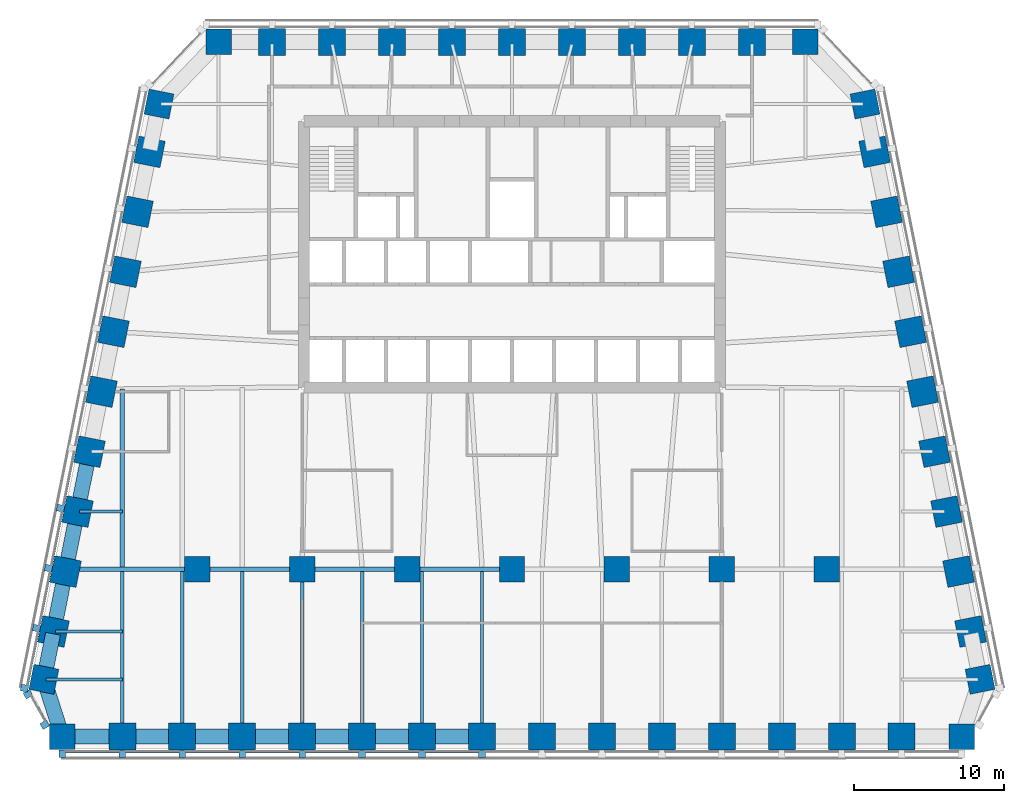
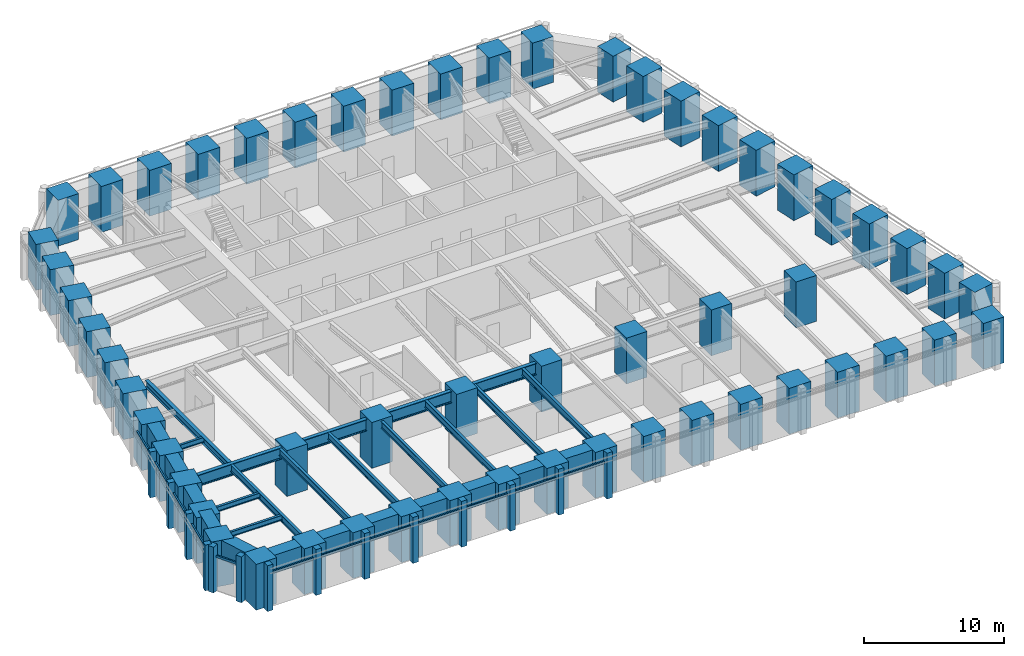
# One storey, part 1 of 9: 56 columns, 27 beams, 26 members, 3 elements without a shape of their own.
"""IFC4 building model written with IfcOpenShell, lengths in metres."""

from ifc_helpers import new_model, si_unit, direction, frame, origin, origin_2d, place, context, subcontext, project, spatial, rectangle, i_section, extrude, material, material_profile, profile_set, type_object, element, aggregate, save


model = new_model("IFC4")

# Units and contexts
model_context = context("Model", 3, precision=1e-05, world=origin(), true_north=direction((0.0, 1.0)))
body_context = subcontext(model_context, "Body", "Model", "MODEL_VIEW")
ifc_project = project(units=[si_unit("LENGTHUNIT", "METRE"), si_unit("AREAUNIT", "SQUARE_METRE"), si_unit("VOLUMEUNIT", "CUBIC_METRE"), si_unit("PLANEANGLEUNIT", "RADIAN"), si_unit("MASSUNIT", "GRAM", prefix="KILO")], contexts=[model_context])

# Site, building, storey
site_placement = place(None, origin())
site = spatial("IfcSite", under=ifc_project, at=site_placement, CompositionType="ELEMENT")
building_placement = place(site_placement, origin())
building = spatial("IfcBuilding", under=site, at=building_placement, Name="Isbrekke Arena Tower", CompositionType="ELEMENT")
storey_placement = place(building_placement, frame((0.0, 0.0, 131.0)))
storey = spatial("IfcBuildingStorey", under=building, at=storey_placement, Name="L29", CompositionType="ELEMENT", Elevation=131.0)

# Columns
ifc_material_1 = material(Name="Concrete B80 (C80/95)", Category="concrete")
ifc_material_profile_1 = material_profile(ifc_material_1, rectangle(XDim=1.699951171875, YDim=1.699951171875, at=origin_2d()), Name="RC 1700x1700")
ifc_profile_set_1 = profile_set([ifc_material_profile_1], Name="Concrete B80 (C80/95)")
column_type_1 = type_object("IfcColumnType", Name="C12 RC 1700 x 1700", PredefinedType="COLUMN", material=ifc_profile_set_1)
for number, where, z_axis, x_axis, name in (
    (1, (-21.0, -6.0, 0.0), (0.0, 0.0, 1.0), (1.0, 0.0, 0.0), "C12 I01"),
    (2, (-14.0, -6.0, 0.0), (0.0, 0.0, 1.0), (1.0, 0.0, 0.0), "C12 I02"),
    (3, (-7.0, -6.0, 0.0), (0.0, 0.0, 1.0), (1.0, 0.0, 0.0), "C12 I03"),
    (4, (0.0, -6.0, 0.0), (0.0, 0.0, 1.0), (1.0, 0.0, 0.0), "C12 I04"),
    (5, (7.0, -6.0, 0.0), (0.0, 0.0, 1.0), (1.0, 0.0, 0.0), "C12 I05"),
    (6, (14.0, -6.0, 0.0), (0.0, 0.0, 1.0), (1.0, 0.0, 0.0), "C12 I06"),
    (7, (21.0, -6.0, 0.0), (0.0, 0.0, 1.0), (1.0, 0.0, 0.0), "C12 I07"),
):
    element("IfcColumn", number, at=place(storey_placement, frame(where, z_axis=z_axis, x_axis=x_axis)), inside=storey, type_object=column_type_1, Name=name, PredefinedType="COLUMN", context=body_context, shape_type="SweptSolid", body=[
        extrude(rectangle(XDim=1.699951171875, YDim=1.699951171875, at=origin_2d()), origin(), (0.0, 0.0, 1.0), 4.0),
    ])
ifc_material_2 = material(Name="Concrete B80 (C80/95)", Category="concrete")
ifc_material_profile_2 = material_profile(ifc_material_2, rectangle(XDim=1.800048828125, YDim=1.800048828125, at=origin_2d()), Name="RC 1800x1800")
ifc_profile_set_2 = profile_set([ifc_material_profile_2], Name="Concrete B80 (C80/95)")
column_type_2 = type_object("IfcColumnType", Name="C3 RC 1800 x 1800", PredefinedType="COLUMN", material=ifc_profile_set_2)
for number, where, z_axis, x_axis, name in (
    (8, (-26.0, -17.175048828125, 0.0), (0.0, 0.0, 1.0), (1.0, 0.0, 0.0), "C3 S02"),
    (9, (-22.0, -17.175048828125, 0.0), (0.0, 0.0, 1.0), (1.0, 0.0, 0.0), "C3 S03"),
    (10, (-18.0, -17.175048828125, 0.0), (0.0, 0.0, 1.0), (1.0, 0.0, 0.0), "C3 S04"),
    (11, (-14.0, -17.175048828125, 0.0), (0.0, 0.0, 1.0), (1.0, 0.0, 0.0), "C3 S05"),
    (12, (-10.0, -17.175048828125, 0.0), (0.0, 0.0, 1.0), (1.0, 0.0, 0.0), "C3 S06"),
    (13, (-6.0, -17.175048828125, 0.0), (0.0, 0.0, 1.0), (1.0, 0.0, 0.0), "C3 S07"),
    (14, (-2.0, -17.175048828125, 0.0), (0.0, 0.0, 1.0), (1.0, 0.0, 0.0), "C3 S08"),
    (15, (2.0, -17.175048828125, 0.0), (0.0, 0.0, 1.0), (1.0, 0.0, 0.0), "C3 S09"),
    (16, (6.0, -17.175048828125, 0.0), (0.0, 0.0, 1.0), (1.0, 0.0, 0.0), "C3 S10"),
    (17, (10.0, -17.175048828125, 0.0), (0.0, 0.0, 1.0), (1.0, 0.0, 0.0), "C3 S11"),
    (18, (14.0, -17.175048828125, 0.0), (0.0, 0.0, 1.0), (1.0, 0.0, 0.0), "C3 S12"),
    (19, (18.0, -17.175048828125, 0.0), (0.0, 0.0, 1.0), (1.0, 0.0, 0.0), "C3 S13"),
    (20, (22.0, -17.175048828125, 0.0), (0.0, 0.0, 1.0), (1.0, 0.0, 0.0), "C3 S14"),
    (21, (26.0, -17.175048828125, 0.0), (0.0, 0.0, 1.0), (1.0, 0.0, 0.0), "C3 S15"),
    (22, (30.591064453125, -10.161865234375, 0.0), (0.0, 0.0, 1.0), (-0.196116135138, 0.980580675691, 0.0), "C3 E02"),
    (23, (29.791015625, -6.161865234375, 0.0), (0.0, 0.0, 1.0), (-0.196116135138, 0.980580675691, 0.0), "C3 E03"),
    (24, (28.990966796875, -2.161865234375, 0.0), (0.0, 0.0, 1.0), (-0.196116135138, 0.980580675691, 0.0), "C3 E04"),
    (25, (28.19091796875, 1.838134765625, 0.0), (0.0, 0.0, 1.0), (-0.196116135138, 0.980580675691, 0.0), "C3 E05"),
    (26, (27.39111328125, 5.838134765625, 0.0), (0.0, 0.0, 1.0), (-0.196116135138, 0.980580675691, 0.0), "C3 E06"),
    (27, (26.591064453125, 9.838134765625, 0.0), (0.0, 0.0, 1.0), (-0.196116135138, 0.980580675691, 0.0), "C3 E07"),
    (28, (25.791015625, 13.838134765625, 0.0), (0.0, 0.0, 1.0), (-0.196116135138, 0.980580675691, 0.0), "C3 E08"),
    (29, (24.990966796875, 17.838134765625, 0.0), (0.0, 0.0, 1.0), (-0.196116135138, 0.980580675691, 0.0), "C3 E09"),
    (30, (24.19091796875, 21.838134765625, 0.0), (0.0, 0.0, 1.0), (-0.196116135138, 0.980580675691, 0.0), "C3 E10"),
    (31, (16.0, 29.175048828125, 0.0), (0.0, 0.0, 1.0), (-1.0, 0.0, 0.0), "C3 N02"),
    (32, (12.0, 29.175048828125, 0.0), (0.0, 0.0, 1.0), (-1.0, 0.0, 0.0), "C3 N03"),
    (33, (8.0, 29.175048828125, 0.0), (0.0, 0.0, 1.0), (-1.0, 0.0, 0.0), "C3 N04"),
    (34, (4.0, 29.175048828125, 0.0), (0.0, 0.0, 1.0), (-1.0, 0.0, 0.0), "C3 N05"),
    (35, (0.0, 29.175048828125, 0.0), (0.0, 0.0, 1.0), (-1.0, 0.0, 0.0), "C3 N06"),
    (36, (-4.0, 29.175048828125, 0.0), (0.0, 0.0, 1.0), (-1.0, 0.0, 0.0), "C3 N07"),
    (37, (-8.0, 29.175048828125, 0.0), (0.0, 0.0, 1.0), (-1.0, 0.0, 0.0), "C3 N08"),
    (38, (-12.0, 29.175048828125, 0.0), (0.0, 0.0, 1.0), (-1.0, 0.0, 0.0), "C3 N09"),
    (39, (-16.0, 29.175048828125, 0.0), (0.0, 0.0, 1.0), (-1.0, 0.0, 0.0), "C3 N10"),
    (40, (-24.19091796875, 21.838134765625, 0.0), (0.0, 0.0, 1.0), (-0.196116135138, -0.980580675691, 0.0), "C3 W02"),
    (41, (-24.990966796875, 17.838134765625, 0.0), (0.0, 0.0, 1.0), (-0.196116135138, -0.980580675691, 0.0), "C3 W03"),
    (42, (-25.791015625, 13.838134765625, 0.0), (0.0, 0.0, 1.0), (-0.196116135138, -0.980580675691, 0.0), "C3 W04"),
    (43, (-26.591064453125, 9.838134765625, 0.0), (0.0, 0.0, 1.0), (-0.196116135138, -0.980580675691, 0.0), "C3 W05"),
    (44, (-27.39111328125, 5.838134765625, 0.0), (0.0, 0.0, 1.0), (-0.196116135138, -0.980580675691, 0.0), "C3 W06"),
    (45, (-28.19091796875, 1.838134765625, 0.0), (0.0, 0.0, 1.0), (-0.196116135138, -0.980580675691, 0.0), "C3 W07"),
    (46, (-28.990966796875, -2.161865234375, 0.0), (0.0, 0.0, 1.0), (-0.196116135138, -0.980580675691, 0.0), "C3 W08"),
    (47, (-29.791015625, -6.161865234375, 0.0), (0.0, 0.0, 1.0), (-0.196116135138, -0.980580675691, 0.0), "C3 W09"),
    (48, (-30.591064453125, -10.161865234375, 0.0), (0.0, 0.0, 1.0), (-0.196116135138, -0.980580675691, 0.0), "C3 W10"),
):
    element("IfcColumn", number, at=place(storey_placement, frame(where, z_axis=z_axis, x_axis=x_axis)), inside=storey, type_object=column_type_2, Name=name, PredefinedType="COLUMN", context=body_context, shape_type="SweptSolid", body=[
        extrude(rectangle(XDim=1.800048828125, YDim=1.800048828125, at=origin_2d()), origin(), (0.0, 0.0, 1.0), 4.0),
    ])
ifc_material_3 = material(Name="Concrete B80 (C80/95)", Category="concrete")
ifc_material_profile_3 = material_profile(ifc_material_3, rectangle(XDim=1.699951171875, YDim=1.699951171875, at=origin_2d()), Name="RC 1700x1700")
ifc_profile_set_3 = profile_set([ifc_material_profile_3], Name="Concrete B80 (C80/95)")
column_type_3 = type_object("IfcColumnType", Name="C7 RC 1700 x 1700", PredefinedType="COLUMN", material=ifc_profile_set_3)
for number, where, z_axis, x_axis, name in (
    (49, (-30.0, -17.175048828125, 0.0), (0.0, 0.0, 1.0), (1.0, 0.0, 0.0), "C7 S01"),
    (50, (30.0, -17.175048828125, 0.0), (0.0, 0.0, 1.0), (1.0, 0.0, 0.0), "C7 S16"),
    (51, (31.229248046875, -13.352783203125, 0.0), (0.0, 0.0, 1.0), (-0.196116135138, 0.980580675691, 0.0), "C7 E01"),
    (52, (23.552734375, 25.029296875, 0.0), (0.0, 0.0, 1.0), (-0.196116135138, 0.980580675691, 0.0), "C7 E11"),
    (53, (19.574951171875, 29.175048828125, 0.0), (0.0, 0.0, 1.0), (-1.0, 0.0, 0.0), "C7 N01"),
    (54, (-19.574951171875, 29.175048828125, 0.0), (0.0, 0.0, 1.0), (-1.0, 0.0, 0.0), "C7 N11"),
    (55, (-23.552734375, 25.029296875, 0.0), (0.0, 0.0, 1.0), (-0.196116135138, -0.980580675691, 0.0), "C7 W01"),
    (56, (-31.229248046875, -13.352783203125, 0.0), (0.0, 0.0, 1.0), (-0.196116135138, -0.980580675691, 0.0), "C7 W11"),
):
    element("IfcColumn", number, at=place(storey_placement, frame(where, z_axis=z_axis, x_axis=x_axis)), inside=storey, type_object=column_type_3, Name=name, PredefinedType="COLUMN", context=body_context, shape_type="SweptSolid", body=[
        extrude(rectangle(XDim=1.699951171875, YDim=1.699951171875, at=origin_2d()), origin(), (0.0, 0.0, 1.0), 4.0),
    ])

# Beams
ifc_material_4 = material(Name="Steel S355", Category="steel")
ifc_material_profile_4 = material_profile(ifc_material_4, i_section(OverallWidth=0.219970703125, OverallDepth=0.60009765625, WebThickness=0.011962890625, FlangeThickness=0.01904296875, FilletRadius=0.02392578125, at=origin_2d()), Name="IPE 600")
ifc_profile_set_4 = profile_set([ifc_material_profile_4], Name="Steel S355")
beam_type_1 = type_object("IfcBeamType", Name="B1 IPE 600", PredefinedType="BEAM", material=ifc_profile_set_4)
for number, where, z_axis, x_axis, name in (
    (57, (-26.0, -17.02490234375, 3.550048828125), (0.0, 1.0, 0.0), (-1.0, 0.0, 0.0), "B1 beam S-S02 L29"),
    (58, (-22.0, -17.02490234375, 3.550048828125), (0.0, 1.0, 0.0), (-1.0, 0.0, 0.0), "B1 beam S-S03 L29"),
    (59, (-18.0, -17.02490234375, 3.550048828125), (0.0, 1.0, 0.0), (-1.0, 0.0, 0.0), "B1 beam S-S04 L29"),
):
    element("IfcBeam", number, at=place(storey_placement, frame(where, z_axis=z_axis, x_axis=x_axis)), inside=storey, type_object=beam_type_1, Name=name, PredefinedType="BEAM", context=body_context, shape_type="SweptSolid", body=[
        extrude(i_section(OverallWidth=0.219970703125, OverallDepth=0.60009765625, WebThickness=0.011962890625, FlangeThickness=0.01904296875, FilletRadius=0.02392578125, at=origin_2d()), origin(), (0.0, 0.0, 1.0), 10.8740234375),
    ])
beam_1_placement = place(storey_placement, frame((-14.0, -17.02490234375, 3.550048828125), z_axis=(0.0, 1.0, 0.0), x_axis=(-1.0, 0.0, 0.0)))
element("IfcBeam", 60, at=beam_1_placement, inside=storey, type_object=beam_type_1, Name="B1 beam S-S05 L29", PredefinedType="BEAM", context=body_context, shape_type="SweptSolid", body=[
    extrude(i_section(OverallWidth=0.219970703125, OverallDepth=0.60009765625, WebThickness=0.011962890625, FlangeThickness=0.01904296875, FilletRadius=0.02392578125, at=origin_2d()), origin(), (0.0, 0.0, 1.0), 10.875),
])
for number, where, z_axis, x_axis, name in (
    (61, (-10.0, -17.02490234375, 3.550048828125), (0.0, 1.0, 0.0), (-1.0, 0.0, 0.0), "B1 beam S-S06 L29"),
    (62, (-6.0, -17.02490234375, 3.550048828125), (0.0, 1.0, 0.0), (-1.0, 0.0, 0.0), "B1 beam S-S07 L29"),
    (63, (-2.0, -17.02490234375, 3.550048828125), (0.0, 1.0, 0.0), (-1.0, 0.0, 0.0), "B1 beam S-S08 L29"),
):
    element("IfcBeam", number, at=place(storey_placement, frame(where, z_axis=z_axis, x_axis=x_axis)), inside=storey, type_object=beam_type_1, Name=name, PredefinedType="BEAM", context=body_context, shape_type="SweptSolid", body=[
        extrude(i_section(OverallWidth=0.219970703125, OverallDepth=0.60009765625, WebThickness=0.011962890625, FlangeThickness=0.01904296875, FilletRadius=0.02392578125, at=origin_2d()), origin(), (0.0, 0.0, 1.0), 10.8740234375),
    ])
ifc_material_5 = material(Name="Steel S355", Category="steel")
ifc_material_profile_5 = material_profile(ifc_material_5, i_section(OverallWidth=0.18994140625, OverallDepth=0.449951171875, WebThickness=0.009521484375, FlangeThickness=0.0146484375, FilletRadius=0.02099609375, at=origin_2d()), Name="IPE 450")
ifc_profile_set_5 = profile_set([ifc_material_profile_5], Name="Steel S355")
beam_type_2 = type_object("IfcBeamType", Name="B2 IPE 450", PredefinedType="BEAM", material=ifc_profile_set_5)
beam_2_placement = place(storey_placement, frame((-28.841064453125, -2.161865234375, 3.625), z_axis=(1.0, 0.0, 0.0), x_axis=(0.0, 1.0, 0.0)))
element("IfcBeam", 64, at=beam_2_placement, inside=storey, type_object=beam_type_2, Name="B2 beam E-W08 L29", PredefinedType="BEAM", context=body_context, shape_type="SweptSolid", body=[
    extrude(i_section(OverallWidth=0.18994140625, OverallDepth=0.449951171875, WebThickness=0.009521484375, FlangeThickness=0.0146484375, FilletRadius=0.02099609375, at=origin_2d()), origin(), (0.0, 0.0, 1.0), 2.841064453125),
])
beam_3_placement = place(storey_placement, frame((-30.44091796875, -10.161865234375, 3.625), z_axis=(1.0, 0.0, 0.0), x_axis=(0.0, 1.0, 0.0)))
element("IfcBeam", 65, at=beam_3_placement, inside=storey, type_object=beam_type_2, Name="B2 beam E-W10 L29", PredefinedType="BEAM", context=body_context, shape_type="SweptSolid", body=[
    extrude(i_section(OverallWidth=0.18994140625, OverallDepth=0.449951171875, WebThickness=0.009521484375, FlangeThickness=0.0146484375, FilletRadius=0.02099609375, at=origin_2d()), origin(), (0.0, 0.0, 1.0), 4.44091796875),
])
beam_4_placement = place(storey_placement, frame((-31.079345703125, -13.352783203125, 3.625), z_axis=(1.0, 0.0, 0.0), x_axis=(0.0, 1.0, 0.0)))
element("IfcBeam", 66, at=beam_4_placement, inside=storey, type_object=beam_type_2, Name="B2 beam E-W11 L29", PredefinedType="BEAM", context=body_context, shape_type="SweptSolid", body=[
    extrude(i_section(OverallWidth=0.18994140625, OverallDepth=0.449951171875, WebThickness=0.009521484375, FlangeThickness=0.0146484375, FilletRadius=0.02099609375, at=origin_2d()), origin(), (0.0, 0.0, 1.0), 5.079345703125),
])
ifc_material_6 = material(Name="Steel S355", Category="steel")
ifc_material_profile_6 = material_profile(ifc_material_6, i_section(OverallWidth=0.300048828125, OverallDepth=0.60009765625, WebThickness=0.015380859375, FlangeThickness=0.030029296875, FilletRadius=0.027099609375, at=origin_2d()), Name="HEB 600")
ifc_profile_set_6 = profile_set([ifc_material_profile_6], Name="Steel S355")
beam_type_3 = type_object("IfcBeamType", Name="B7 HEB 600", PredefinedType="BEAM", material=ifc_profile_set_6)
beam_5_placement = place(storey_placement, frame((-26.0, -5.84912109375, 3.550048828125), z_axis=(0.0, 1.0, 0.0), x_axis=(-1.0, 0.0, 0.0)))
element("IfcBeam", 67, at=beam_5_placement, inside=storey, type_object=beam_type_3, Name="B7 beam C-M01 L29", PredefinedType="BEAM", context=body_context, shape_type="SweptSolid", body=[
    extrude(i_section(OverallWidth=0.300048828125, OverallDepth=0.60009765625, WebThickness=0.015380859375, FlangeThickness=0.030029296875, FilletRadius=0.027099609375, at=origin_2d()), origin(), (0.0, 0.0, 1.0), 11.864990234375),
])

# Curtain wall, members
ifc_material_7 = material(Name="Glazed aluminium curtain wall", Category="aluminium")
curtain_wall_type = type_object("IfcCurtainWallType", Name="CWM TOWER CURTAIN WALL MID ZONE", PredefinedType="USERDEFINED", material=ifc_material_7)
curtain_wall_1_placement = place(storey_placement, origin())
curtain_wall_1 = element("IfcCurtainWall", 68, at=curtain_wall_1_placement, inside=storey, type_object=curtain_wall_type, Name="CWM curtain wall L29-S", ObjectType="TOWER CURTAIN WALL MID ZONE", PredefinedType="USERDEFINED")
ifc_material_8 = material(Name="Aluminium mullion, pale brick slip cladding", Category="masonry")
ifc_material_profile_7 = material_profile(ifc_material_8, rectangle(XDim=0.449951171875, YDim=0.5, at=origin_2d()), Name="PIER 450X500")
ifc_profile_set_7 = profile_set([ifc_material_profile_7], Name="Aluminium mullion, pale brick slip cladding")
member_type_1 = type_object("IfcMemberType", Name="CWM-M PIER MULLION 450 x 500", PredefinedType="MULLION", material=ifc_profile_set_7)
member_1_placement = place(storey_placement, frame((-30.0, -18.324951171875, 0.0), z_axis=(0.0, 0.0, 1.0), x_axis=(1.0, 0.0, 0.0)))
member_1 = element("IfcMember", 69, at=member_1_placement, type_object=member_type_1, Name="CWM-M mullion 1", PredefinedType="MULLION", context=body_context, shape_type="SweptSolid", body=[
    extrude(rectangle(XDim=0.449951171875, YDim=0.5, at=origin_2d()), origin(), (0.0, 0.0, 1.0), 4.0),
])
member_2_placement = place(storey_placement, frame((-26.0, -18.324951171875, 0.0), z_axis=(0.0, 0.0, 1.0), x_axis=(1.0, 0.0, 0.0)))
member_2 = element("IfcMember", 70, at=member_2_placement, type_object=member_type_1, Name="CWM-M mullion 2", PredefinedType="MULLION", context=body_context, shape_type="SweptSolid", body=[
    extrude(rectangle(XDim=0.449951171875, YDim=0.5, at=origin_2d()), origin(), (0.0, 0.0, 1.0), 4.0),
])
member_3_placement = place(storey_placement, frame((-22.0, -18.324951171875, 0.0), z_axis=(0.0, 0.0, 1.0), x_axis=(1.0, 0.0, 0.0)))
member_3 = element("IfcMember", 71, at=member_3_placement, type_object=member_type_1, Name="CWM-M mullion 3", PredefinedType="MULLION", context=body_context, shape_type="SweptSolid", body=[
    extrude(rectangle(XDim=0.449951171875, YDim=0.5, at=origin_2d()), origin(), (0.0, 0.0, 1.0), 4.0),
])
member_4_placement = place(storey_placement, frame((-18.0, -18.324951171875, 0.0), z_axis=(0.0, 0.0, 1.0), x_axis=(1.0, 0.0, 0.0)))
member_4 = element("IfcMember", 72, at=member_4_placement, type_object=member_type_1, Name="CWM-M mullion 4", PredefinedType="MULLION", context=body_context, shape_type="SweptSolid", body=[
    extrude(rectangle(XDim=0.449951171875, YDim=0.5, at=origin_2d()), origin(), (0.0, 0.0, 1.0), 4.0),
])
member_5_placement = place(storey_placement, frame((-14.0, -18.324951171875, 0.0), z_axis=(0.0, 0.0, 1.0), x_axis=(1.0, 0.0, 0.0)))
member_5 = element("IfcMember", 73, at=member_5_placement, type_object=member_type_1, Name="CWM-M mullion 5", PredefinedType="MULLION", context=body_context, shape_type="SweptSolid", body=[
    extrude(rectangle(XDim=0.449951171875, YDim=0.5, at=origin_2d()), origin(), (0.0, 0.0, 1.0), 4.0),
])
member_6_placement = place(storey_placement, frame((-10.0, -18.324951171875, 0.0), z_axis=(0.0, 0.0, 1.0), x_axis=(1.0, 0.0, 0.0)))
member_6 = element("IfcMember", 74, at=member_6_placement, type_object=member_type_1, Name="CWM-M mullion 6", PredefinedType="MULLION", context=body_context, shape_type="SweptSolid", body=[
    extrude(rectangle(XDim=0.449951171875, YDim=0.5, at=origin_2d()), origin(), (0.0, 0.0, 1.0), 4.0),
])
member_7_placement = place(storey_placement, frame((-6.0, -18.324951171875, 0.0), z_axis=(0.0, 0.0, 1.0), x_axis=(1.0, 0.0, 0.0)))
member_7 = element("IfcMember", 75, at=member_7_placement, type_object=member_type_1, Name="CWM-M mullion 7", PredefinedType="MULLION", context=body_context, shape_type="SweptSolid", body=[
    extrude(rectangle(XDim=0.449951171875, YDim=0.5, at=origin_2d()), origin(), (0.0, 0.0, 1.0), 4.0),
])
member_8_placement = place(storey_placement, frame((-2.0, -18.324951171875, 0.0), z_axis=(0.0, 0.0, 1.0), x_axis=(1.0, 0.0, 0.0)))
member_8 = element("IfcMember", 76, at=member_8_placement, type_object=member_type_1, Name="CWM-M mullion 8", PredefinedType="MULLION", context=body_context, shape_type="SweptSolid", body=[
    extrude(rectangle(XDim=0.449951171875, YDim=0.5, at=origin_2d()), origin(), (0.0, 0.0, 1.0), 4.0),
])

curtain_wall_2_placement = place(storey_placement, origin())
curtain_wall_2 = element("IfcCurtainWall", 77, at=curtain_wall_2_placement, inside=storey, type_object=curtain_wall_type, Name="CWM curtain wall L29-W", ObjectType="TOWER CURTAIN WALL MID ZONE", PredefinedType="USERDEFINED")
member_9_placement = place(storey_placement, frame((-30.11865234375, -1.936279296875, 0.0), z_axis=(0.0, 0.0, 1.0), x_axis=(-0.196116135138, -0.980580675691, 0.0)))
member_9 = element("IfcMember", 78, at=member_9_placement, type_object=member_type_1, Name="CWM-M mullion 8", PredefinedType="MULLION", context=body_context, shape_type="SweptSolid", body=[
    extrude(rectangle(XDim=0.449951171875, YDim=0.5, at=origin_2d()), origin(), (0.0, 0.0, 1.0), 4.0),
])
member_10_placement = place(storey_placement, frame((-30.918701171875, -5.936279296875, 0.0), z_axis=(0.0, 0.0, 1.0), x_axis=(-0.196116135138, -0.980580675691, 0.0)))
member_10 = element("IfcMember", 79, at=member_10_placement, type_object=member_type_1, Name="CWM-M mullion 9", PredefinedType="MULLION", context=body_context, shape_type="SweptSolid", body=[
    extrude(rectangle(XDim=0.449951171875, YDim=0.5, at=origin_2d()), origin(), (0.0, 0.0, 1.0), 4.0),
])
member_11_placement = place(storey_placement, frame((-31.71875, -9.936279296875, 0.0), z_axis=(0.0, 0.0, 1.0), x_axis=(-0.196116135138, -0.980580675691, 0.0)))
member_11 = element("IfcMember", 80, at=member_11_placement, type_object=member_type_1, Name="CWM-M mullion 10", PredefinedType="MULLION", context=body_context, shape_type="SweptSolid", body=[
    extrude(rectangle(XDim=0.449951171875, YDim=0.5, at=origin_2d()), origin(), (0.0, 0.0, 1.0), 4.0),
])
member_12_placement = place(storey_placement, frame((-32.518798828125, -13.936279296875, 0.0), z_axis=(0.0, 0.0, 1.0), x_axis=(-0.196116135138, -0.980580675691, 0.0)))
member_12 = element("IfcMember", 81, at=member_12_placement, type_object=member_type_1, Name="CWM-M mullion 11", PredefinedType="MULLION", context=body_context, shape_type="SweptSolid", body=[
    extrude(rectangle(XDim=0.449951171875, YDim=0.5, at=origin_2d()), origin(), (0.0, 0.0, 1.0), 4.0),
])

curtain_wall_3_placement = place(storey_placement, origin())
curtain_wall_3 = element("IfcCurtainWall", 82, at=curtain_wall_3_placement, inside=storey, type_object=curtain_wall_type, Name="CWM curtain wall L29-WS", ObjectType="TOWER CURTAIN WALL MID ZONE", PredefinedType="USERDEFINED")
member_13_placement = place(storey_placement, frame((-32.29638671875, -14.34326171875, 0.0), z_axis=(0.0, 0.0, 1.0), x_axis=(0.481918749773, -0.876215908676, 0.0)))
member_13 = element("IfcMember", 83, at=member_13_placement, type_object=member_type_1, Name="CWM-M mullion 1", PredefinedType="MULLION", context=body_context, shape_type="SweptSolid", body=[
    extrude(rectangle(XDim=0.449951171875, YDim=0.5, at=origin_2d()), origin(), (0.0, 0.0, 1.0), 4.0),
])
member_14_placement = place(storey_placement, frame((-31.174560546875, -16.38330078125, 0.0), z_axis=(0.0, 0.0, 1.0), x_axis=(0.481918749773, -0.876215908676, 0.0)))
member_14 = element("IfcMember", 84, at=member_14_placement, type_object=member_type_1, Name="CWM-M mullion 2", PredefinedType="MULLION", context=body_context, shape_type="SweptSolid", body=[
    extrude(rectangle(XDim=0.449951171875, YDim=0.5, at=origin_2d()), origin(), (0.0, 0.0, 1.0), 4.0),
])

# Member
ifc_material_9 = material(Name="Aluminium transom", Category="aluminium")
ifc_material_profile_8 = material_profile(ifc_material_9, rectangle(XDim=0.1201171875, YDim=0.199951171875, at=origin_2d()), Name="TRANSOM 120X200")
ifc_profile_set_8 = profile_set([ifc_material_profile_8], Name="Aluminium transom")
member_type_2 = type_object("IfcMemberType", Name="CWM-T TRANSOM 120 x 200", PredefinedType="USERDEFINED", material=ifc_profile_set_8)
member_15_placement = place(storey_placement, frame((-29.77490234375, -18.175048828125, 3.0), z_axis=(1.0, 0.0, 0.0), x_axis=(0.0, 1.0, 0.0)))
member_15 = element("IfcMember", 85, at=member_15_placement, type_object=member_type_2, Name="CWM-T transom 1", ObjectType="TRANSOM", PredefinedType="USERDEFINED", context=body_context, shape_type="SweptSolid", body=[
    extrude(rectangle(XDim=0.1201171875, YDim=0.199951171875, at=origin_2d()), origin(), (0.0, 0.0, 1.0), 3.5498046875),
])

member_16_placement = place(storey_placement, frame((-25.77490234375, -18.175048828125, 3.0), z_axis=(1.0, 0.0, 0.0), x_axis=(0.0, 1.0, 0.0)))
member_16 = element("IfcMember", 86, at=member_16_placement, type_object=member_type_2, Name="CWM-T transom 2", ObjectType="TRANSOM", PredefinedType="USERDEFINED", context=body_context, shape_type="SweptSolid", body=[
    extrude(rectangle(XDim=0.1201171875, YDim=0.199951171875, at=origin_2d()), origin(), (0.0, 0.0, 1.0), 3.5498046875),
])

member_17_placement = place(storey_placement, frame((-21.77490234375, -18.175048828125, 3.0), z_axis=(1.0, 0.0, 0.0), x_axis=(0.0, 1.0, 0.0)))
member_17 = element("IfcMember", 87, at=member_17_placement, type_object=member_type_2, Name="CWM-T transom 3", ObjectType="TRANSOM", PredefinedType="USERDEFINED", context=body_context, shape_type="SweptSolid", body=[
    extrude(rectangle(XDim=0.1201171875, YDim=0.199951171875, at=origin_2d()), origin(), (0.0, 0.0, 1.0), 3.5498046875),
])

member_18_placement = place(storey_placement, frame((-17.77490234375, -18.175048828125, 3.0), z_axis=(1.0, 0.0, 0.0), x_axis=(0.0, 1.0, 0.0)))
member_18 = element("IfcMember", 88, at=member_18_placement, type_object=member_type_2, Name="CWM-T transom 4", ObjectType="TRANSOM", PredefinedType="USERDEFINED", context=body_context, shape_type="SweptSolid", body=[
    extrude(rectangle(XDim=0.1201171875, YDim=0.199951171875, at=origin_2d()), origin(), (0.0, 0.0, 1.0), 3.5498046875),
])

member_19_placement = place(storey_placement, frame((-13.77490234375, -18.175048828125, 3.0), z_axis=(1.0, 0.0, 0.0), x_axis=(0.0, 1.0, 0.0)))
member_19 = element("IfcMember", 89, at=member_19_placement, type_object=member_type_2, Name="CWM-T transom 5", ObjectType="TRANSOM", PredefinedType="USERDEFINED", context=body_context, shape_type="SweptSolid", body=[
    extrude(rectangle(XDim=0.1201171875, YDim=0.199951171875, at=origin_2d()), origin(), (0.0, 0.0, 1.0), 3.5498046875),
])

member_20_placement = place(storey_placement, frame((-9.77490234375, -18.175048828125, 3.0), z_axis=(1.0, 0.0, 0.0), x_axis=(0.0, 1.0, 0.0)))
member_20 = element("IfcMember", 90, at=member_20_placement, type_object=member_type_2, Name="CWM-T transom 6", ObjectType="TRANSOM", PredefinedType="USERDEFINED", context=body_context, shape_type="SweptSolid", body=[
    extrude(rectangle(XDim=0.1201171875, YDim=0.199951171875, at=origin_2d()), origin(), (0.0, 0.0, 1.0), 3.5498046875),
])

member_21_placement = place(storey_placement, frame((-5.77490234375, -18.175048828125, 3.0), z_axis=(1.0, 0.0, 0.0), x_axis=(0.0, 1.0, 0.0)))
member_21 = element("IfcMember", 91, at=member_21_placement, type_object=member_type_2, Name="CWM-T transom 7", ObjectType="TRANSOM", PredefinedType="USERDEFINED", context=body_context, shape_type="SweptSolid", body=[
    extrude(rectangle(XDim=0.1201171875, YDim=0.199951171875, at=origin_2d()), origin(), (0.0, 0.0, 1.0), 3.5498046875),
])

aggregate(curtain_wall_1, [member_1, member_2, member_3, member_4, member_5, member_6, member_7, member_8, member_15, member_16, member_17, member_18, member_19, member_20, member_21])

member_22_placement = place(storey_placement, frame((-29.2158203125, 1.813720703125, 3.0), z_axis=(-0.196090262229, -0.980585849918, 0.0), x_axis=(0.980585849918, -0.196090262229, 0.0)))
member_22 = element("IfcMember", 92, at=member_22_placement, type_object=member_type_2, Name="CWM-T transom 7", ObjectType="TRANSOM", PredefinedType="USERDEFINED", context=body_context, shape_type="SweptSolid", body=[
    extrude(rectangle(XDim=0.1201171875, YDim=0.199951171875, at=origin_2d()), origin(), (0.0, 0.0, 1.0), 3.62939453125),
])

member_23_placement = place(storey_placement, frame((-30.015625, -2.186279296875, 3.0), z_axis=(-0.196154943734, -0.980572913173, 0.0), x_axis=(0.980572913173, -0.196154943734, 0.0)))
member_23 = element("IfcMember", 93, at=member_23_placement, type_object=member_type_2, Name="CWM-T transom 8", ObjectType="TRANSOM", PredefinedType="USERDEFINED", context=body_context, shape_type="SweptSolid", body=[
    extrude(rectangle(XDim=0.1201171875, YDim=0.199951171875, at=origin_2d()), origin(), (0.0, 0.0, 1.0), 3.62939453125),
])

member_24_placement = place(storey_placement, frame((-30.815673828125, -6.186279296875, 3.0), z_axis=(-0.196154943734, -0.980572913173, 0.0), x_axis=(0.980572913173, -0.196154943734, 0.0)))
member_24 = element("IfcMember", 94, at=member_24_placement, type_object=member_type_2, Name="CWM-T transom 9", ObjectType="TRANSOM", PredefinedType="USERDEFINED", context=body_context, shape_type="SweptSolid", body=[
    extrude(rectangle(XDim=0.1201171875, YDim=0.199951171875, at=origin_2d()), origin(), (0.0, 0.0, 1.0), 3.62939453125),
])

member_25_placement = place(storey_placement, frame((-31.61572265625, -10.186279296875, 3.0), z_axis=(-0.196090262229, -0.980585849918, 0.0), x_axis=(0.980585849918, -0.196090262229, 0.0)))
member_25 = element("IfcMember", 95, at=member_25_placement, type_object=member_type_2, Name="CWM-T transom 10", ObjectType="TRANSOM", PredefinedType="USERDEFINED", context=body_context, shape_type="SweptSolid", body=[
    extrude(rectangle(XDim=0.1201171875, YDim=0.199951171875, at=origin_2d()), origin(), (0.0, 0.0, 1.0), 3.62939453125),
])

aggregate(curtain_wall_2, [member_9, member_10, member_11, member_12, member_22, member_23, member_24, member_25])

member_26_placement = place(storey_placement, frame((-32.056640625, -14.46826171875, 3.0), z_axis=(0.481918749772, -0.876215908677, 0.0), x_axis=(0.876215908677, 0.481918749772, 0.0)))
member_26 = element("IfcMember", 96, at=member_26_placement, type_object=member_type_2, Name="CWM-T transom 1", ObjectType="TRANSOM", PredefinedType="USERDEFINED", context=body_context, shape_type="SweptSolid", body=[
    extrude(rectangle(XDim=0.1201171875, YDim=0.199951171875, at=origin_2d()), origin(), (0.0, 0.0, 1.0), 1.8779296875),
])

aggregate(curtain_wall_3, [member_13, member_14, member_26])

# Beams
ifc_material_10 = material(Name="Steel S355", Category="steel")
ifc_material_profile_9 = material_profile(ifc_material_10, i_section(OverallWidth=0.302001953125, OverallDepth=1.008056640625, WebThickness=0.02099609375, FlangeThickness=0.0400390625, FilletRadius=0.030029296875, at=origin_2d()), Name="HEM 1000")
ifc_profile_set_9 = profile_set([ifc_material_profile_9], Name="Steel S355")
beam_type_4 = type_object("IfcBeamType", Name="G1 HEM 1000", PredefinedType="BEAM", material=ifc_profile_set_9)
beam_6_placement = place(storey_placement, frame((-29.791015625, -6.0, 3.345947265625), z_axis=(1.0, 0.0, 0.0), x_axis=(0.0, 1.0, 0.0)))
element("IfcBeam", 97, at=beam_6_placement, inside=storey, type_object=beam_type_4, Name="G1 beam G1-01 L29", PredefinedType="BEAM", context=body_context, shape_type="SweptSolid", body=[
    extrude(i_section(OverallWidth=0.302001953125, OverallDepth=1.008056640625, WebThickness=0.02099609375, FlangeThickness=0.0400390625, FilletRadius=0.030029296875, at=origin_2d()), origin(), (0.0, 0.0, 1.0), 8.64111328125),
])
for number, where, z_axis, x_axis, name in (
    (98, (-20.85009765625, -6.0, 3.345947265625), (1.0, 0.0, 0.0), (0.0, 1.0, 0.0), "G1 beam G1-02 L29"),
    (99, (-13.85009765625, -6.0, 3.345947265625), (1.0, 0.0, 0.0), (0.0, 1.0, 0.0), "G1 beam G1-03 L29"),
    (100, (-6.85009765625, -6.0, 3.345947265625), (1.0, 0.0, 0.0), (0.0, 1.0, 0.0), "G1 beam G1-04 L29"),
):
    element("IfcBeam", number, at=place(storey_placement, frame(where, z_axis=z_axis, x_axis=x_axis)), inside=storey, type_object=beam_type_4, Name=name, PredefinedType="BEAM", context=body_context, shape_type="SweptSolid", body=[
        extrude(i_section(OverallWidth=0.302001953125, OverallDepth=1.008056640625, WebThickness=0.02099609375, FlangeThickness=0.0400390625, FilletRadius=0.030029296875, at=origin_2d()), origin(), (0.0, 0.0, 1.0), 6.7001953125),
    ])
ifc_material_11 = material(Name="Concrete B80 (C80/95)", Category="concrete")
ifc_material_profile_10 = material_profile(ifc_material_11, rectangle(XDim=1.0, YDim=1.60009765625, at=origin_2d()), Name="RC 1000x1600")
ifc_profile_set_10 = profile_set([ifc_material_profile_10], Name="Concrete B80 (C80/95)")
beam_type_5 = type_object("IfcBeamType", Name="SB2 RC 1000 x 1600", PredefinedType="SPANDREL", material=ifc_profile_set_10)
for number, where, z_axis, x_axis, name in (
    (101, (-29.85009765625, -17.175048828125, 3.199951171875), (1.0, 0.0, 0.0), (0.0, 1.0, 0.0), "SB2 spandrel S01-S02 L29"),
    (102, (-25.85009765625, -17.175048828125, 3.199951171875), (1.0, 0.0, 0.0), (0.0, 1.0, 0.0), "SB2 spandrel S02-S03 L29"),
    (103, (-21.85009765625, -17.175048828125, 3.199951171875), (1.0, 0.0, 0.0), (0.0, 1.0, 0.0), "SB2 spandrel S03-S04 L29"),
    (104, (-17.85009765625, -17.175048828125, 3.199951171875), (1.0, 0.0, 0.0), (0.0, 1.0, 0.0), "SB2 spandrel S04-S05 L29"),
    (105, (-13.85009765625, -17.175048828125, 3.199951171875), (1.0, 0.0, 0.0), (0.0, 1.0, 0.0), "SB2 spandrel S05-S06 L29"),
    (106, (-9.85009765625, -17.175048828125, 3.199951171875), (1.0, 0.0, 0.0), (0.0, 1.0, 0.0), "SB2 spandrel S06-S07 L29"),
    (107, (-5.85009765625, -17.175048828125, 3.199951171875), (1.0, 0.0, 0.0), (0.0, 1.0, 0.0), "SB2 spandrel S07-S08 L29"),
):
    element("IfcBeam", number, at=place(storey_placement, frame(where, z_axis=z_axis, x_axis=x_axis)), inside=storey, type_object=beam_type_5, Name=name, PredefinedType="SPANDREL", context=body_context, shape_type="SweptSolid", body=[
        extrude(rectangle(XDim=1.0, YDim=1.60009765625, at=origin_2d()), origin(), (0.0, 0.0, 1.0), 3.7001953125),
    ])
for number, where, z_axis, x_axis, name in (
    (108, (-28.220458984375, 1.691162109375, 3.199951171875), (-0.196128558387, -0.980578190959, 0.0), (0.980578190959, -0.196128558387, 0.0), "SB2 spandrel W07-W08 L29"),
    (109, (-29.0205078125, -2.308837890625, 3.199951171875), (-0.196128558387, -0.980578190959, 0.0), (0.980578190959, -0.196128558387, 0.0), "SB2 spandrel W08-W09 L29"),
):
    element("IfcBeam", number, at=place(storey_placement, frame(where, z_axis=z_axis, x_axis=x_axis)), inside=storey, type_object=beam_type_5, Name=name, PredefinedType="SPANDREL", context=body_context, shape_type="SweptSolid", body=[
        extrude(rectangle(XDim=1.0, YDim=1.60009765625, at=origin_2d()), origin(), (0.0, 0.0, 1.0), 3.779296875),
    ])
beam_7_placement = place(storey_placement, frame((-29.820556640625, -6.308837890625, 3.199951171875), z_axis=(-0.1960664412, -0.980590613169, 0.0), x_axis=(0.980590613169, -0.1960664412, 0.0)))
element("IfcBeam", 110, at=beam_7_placement, inside=storey, type_object=beam_type_5, Name="SB2 spandrel W09-W10 L29", PredefinedType="SPANDREL", context=body_context, shape_type="SweptSolid", body=[
    extrude(rectangle(XDim=1.0, YDim=1.60009765625, at=origin_2d()), origin(), (0.0, 0.0, 1.0), 3.779052734375),
])
beam_8_placement = place(storey_placement, frame((-30.620361328125, -10.308837890625, 3.199951171875), z_axis=(-0.196100243168, -0.980583853951, 0.0), x_axis=(0.980583853951, -0.196100243168, 0.0)))
element("IfcBeam", 111, at=beam_8_placement, inside=storey, type_object=beam_type_5, Name="SB2 spandrel W10-W11 L29", PredefinedType="SPANDREL", context=body_context, shape_type="SweptSolid", body=[
    extrude(rectangle(XDim=1.0, YDim=1.60009765625, at=origin_2d()), origin(), (0.0, 0.0, 1.0), 2.954345703125),
])
beam_9_placement = place(storey_placement, frame((-31.183349609375, -13.49560546875, 3.199951171875), z_axis=(0.306175101476, -0.951975213562, 0.0), x_axis=(0.951975213562, 0.306175101476, 0.0)))
element("IfcBeam", 112, at=beam_9_placement, inside=storey, type_object=beam_type_5, Name="SB2 spandrel W11-S01 L29", PredefinedType="SPANDREL", context=body_context, shape_type="SweptSolid", body=[
    extrude(rectangle(XDim=1.0, YDim=1.60009765625, at=origin_2d()), origin(), (0.0, 0.0, 1.0), 3.715087890625),
])

save(model, "model.ifc")
